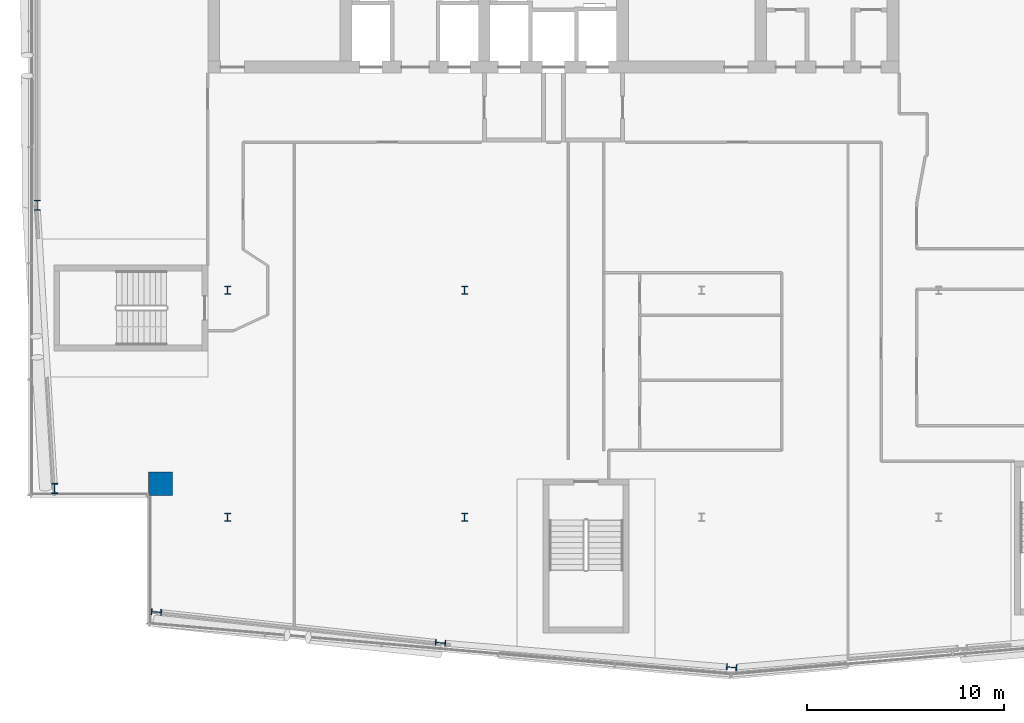
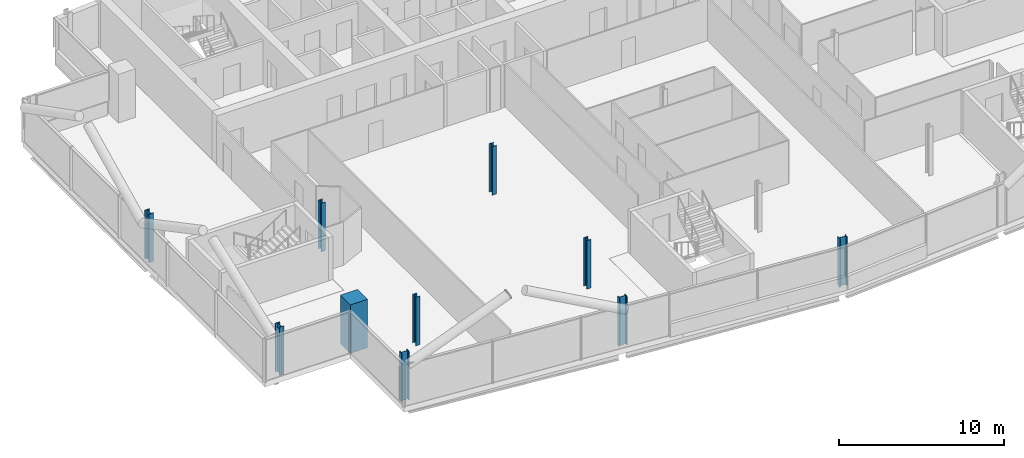
# One storey, part 1 of 25: 10 columns.
"""IFC4 building model written with IfcOpenShell, lengths in metres."""

from ifc_helpers import new_model, si_unit, direction, frame, origin, origin_2d, place, context, subcontext, project, spatial, rectangle, i_section, extrude, material, material_profile, profile_set, type_object, element, save


model = new_model("IFC4")

# Units and contexts
model_context = context("Model", 3, precision=1e-05, world=origin(), true_north=direction((0.0, 1.0)))
body_context = subcontext(model_context, "Body", "Model", "MODEL_VIEW")
ifc_project = project(units=[si_unit("LENGTHUNIT", "METRE"), si_unit("AREAUNIT", "SQUARE_METRE"), si_unit("VOLUMEUNIT", "CUBIC_METRE"), si_unit("PLANEANGLEUNIT", "RADIAN"), si_unit("MASSUNIT", "GRAM", prefix="KILO")], contexts=[model_context])

# Site, building, storey
site_placement = place(None, origin())
site = spatial("IfcSite", under=ifc_project, at=site_placement, CompositionType="ELEMENT")
building_placement = place(site_placement, origin())
building = spatial("IfcBuilding", under=site, at=building_placement, Name="Wharfspan Tower", CompositionType="ELEMENT")
storey_placement = place(building_placement, frame((0.0, 0.0, 232.300049)))
storey = spatial("IfcBuildingStorey", under=building, at=storey_placement, Name="L58", CompositionType="ELEMENT", Elevation=232.300049)

# Columns
ifc_material_1 = material(Name="Steel S355J2", Category="steel")
ifc_material_profile_1 = material_profile(ifc_material_1, i_section(OverallWidth=0.300049, OverallDepth=0.399902, WebThickness=0.013428, FlangeThickness=0.023926, FilletRadius=0.0271, at=origin_2d()))
ifc_profile_set_1 = profile_set([ifc_material_profile_1], Name="Steel S355J2")
column_type_1 = type_object("IfcColumnType", Name="Column HEB 400", PredefinedType="COLUMN", material=ifc_profile_set_1)
for number, where, z_axis, x_axis, name in (
    (1, (24.0, 11.5, 0.0), (0.0, 0.0, 1.0), (1.0, 0.0, 0.0), "Interior column I.1.1 L58"),
    (2, (36.0, 11.5, 0.0), (0.0, 0.0, 1.0), (1.0, 0.0, 0.0), "Interior column I.1.2 L58"),
    (3, (24.0, 23.0, 0.0), (0.0, 0.0, 1.0), (1.0, 0.0, 0.0), "Interior column I.2.1 L58"),
    (4, (36.0, 23.0, 0.0), (0.0, 0.0, 1.0), (1.0, 0.0, 0.0), "Interior column I.2.2 L58"),
):
    element("IfcColumn", number, at=place(storey_placement, frame(where, z_axis=z_axis, x_axis=x_axis)), inside=storey, type_object=column_type_1, Name=name, PredefinedType="COLUMN", context=body_context, shape_type="SweptSolid", body=[
        extrude(i_section(OverallWidth=0.300049, OverallDepth=0.399902, WebThickness=0.013428, FlangeThickness=0.023926, FilletRadius=0.0271, at=origin_2d()), origin(), (0.0, 0.0, 1.0), 3.599854),
    ])
ifc_material_profile_2 = material_profile(ifc_material_1, i_section(OverallWidth=0.305908, OverallDepth=0.523926, WebThickness=0.020996, FlangeThickness=0.040039, FilletRadius=0.0271, at=origin_2d()))
ifc_profile_set_2 = profile_set([ifc_material_profile_2], Name="Steel S355J2")
column_type_2 = type_object("IfcColumnType", Name="Column HEM 500", PredefinedType="COLUMN", material=ifc_profile_set_2)
for number, where, z_axis, x_axis, name in (
    (5, (20.392334, 6.702637, 0.0), (0.0, 0.0, 1.0), (-0.087156, -0.996197, 0.0), "Perimeter column PS1.1 L58"),
    (6, (34.781494, 5.143311, 0.0), (0.0, 0.0, 1.0), (-0.087156, -0.996197, 0.0), "Perimeter column PS1.2 L58"),
    (7, (49.522949, 3.9021, 0.0), (0.0, 0.0, 1.0), (-0.087156, -0.996197, 0.0), "Perimeter column PS1.3 L58"),
    (8, (14.360107, 27.300049, 0.0), (0.0, 0.0, 1.0), (-1.0, 0.0, 0.0), "Perimeter column PW.1 L58"),
    (9, (15.237793, 12.963379, 0.0), (0.0, 0.0, 1.0), (-1.0, 0.0, 0.0), "Perimeter column PW.2 L58"),
):
    element("IfcColumn", number, at=place(storey_placement, frame(where, z_axis=z_axis, x_axis=x_axis)), inside=storey, type_object=column_type_2, Name=name, PredefinedType="COLUMN", context=body_context, shape_type="SweptSolid", body=[
        extrude(i_section(OverallWidth=0.305908, OverallDepth=0.523926, WebThickness=0.020996, FlangeThickness=0.040039, FilletRadius=0.0271, at=origin_2d()), origin(), (0.0, 0.0, 1.0), 3.599854),
    ])
ifc_material_2 = material(Name="Concrete C50/60", Category="concrete")
ifc_material_profile_3 = material_profile(ifc_material_2, rectangle(XDim=1.199951, YDim=1.199951, at=origin_2d()))
ifc_profile_set_3 = profile_set([ifc_material_profile_3], Name="Concrete C50/60")
column_type_3 = type_object("IfcColumnType", Name="Mega column 1200 C50/60", PredefinedType="COLUMN", material=ifc_profile_set_3)
column_placement = place(storey_placement, frame((20.600098, 13.199951, 0.0), z_axis=(0.0, 0.0, 1.0), x_axis=(1.0, 0.0, 0.0)))
element("IfcColumn", 10, at=column_placement, inside=storey, type_object=column_type_3, Name="Mega column MC1 L58", PredefinedType="COLUMN", context=body_context, shape_type="SweptSolid", body=[
    extrude(rectangle(XDim=1.199951, YDim=1.199951, at=origin_2d()), origin(), (0.0, 0.0, 1.0), 3.599854),
])

save(model, "model.ifc")
